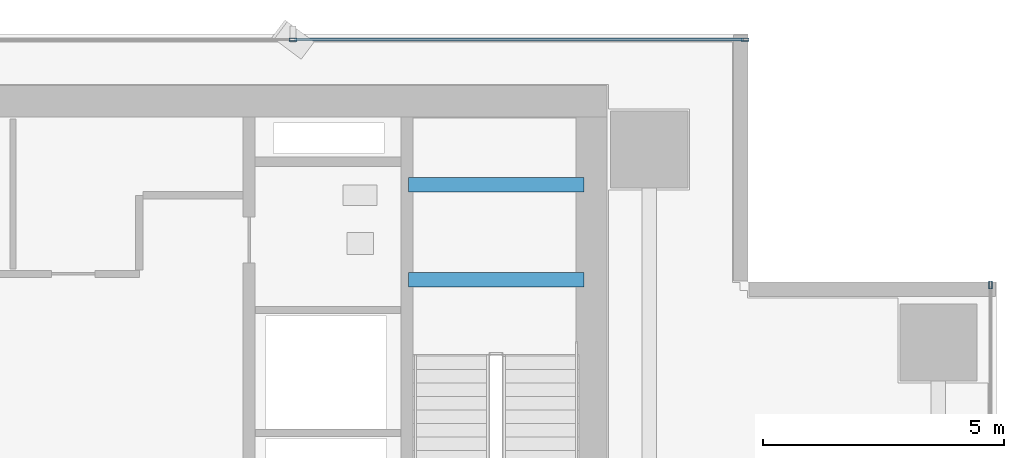
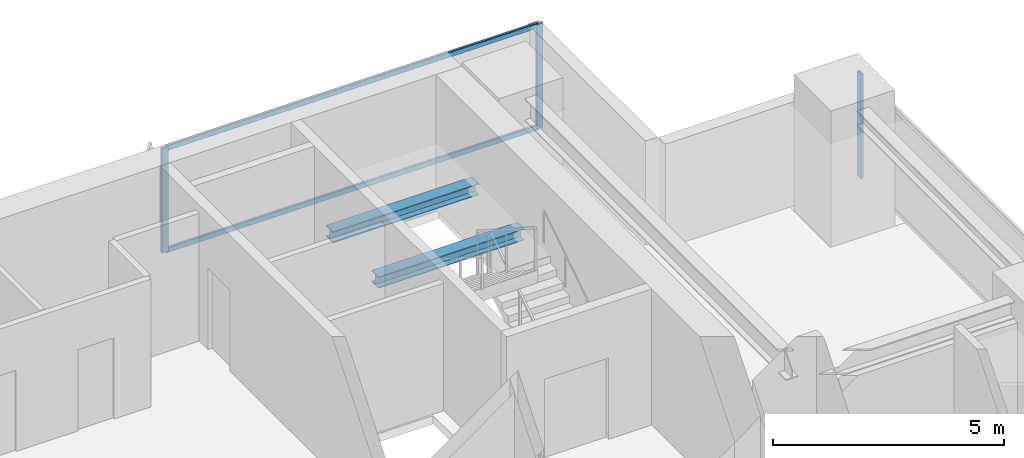
# One storey, part 19 of 28: 5 members, 2 beams, 2 elements without a shape of their own.
"""IFC4 building model written with IfcOpenShell, lengths in metres."""

from ifc_helpers import new_model, si_unit, direction, frame, origin, origin_2d, place, context, subcontext, project, spatial, hollow_rectangle, i_section, extrude, source, transform, mapped, material, layer, layer_set, material_profile, profile_set, type_object, element, aggregate, save


model = new_model("IFC4")

# Units and contexts
model_context = context("Model", 3, precision=1e-05, world=origin(), true_north=direction((0.0, 1.0)))
body_context = subcontext(model_context, "Body", "Model", "MODEL_VIEW")
ifc_project = project(units=[si_unit("LENGTHUNIT", "METRE"), si_unit("AREAUNIT", "SQUARE_METRE"), si_unit("VOLUMEUNIT", "CUBIC_METRE"), si_unit("PLANEANGLEUNIT", "RADIAN"), si_unit("MASSUNIT", "GRAM", prefix="KILO")], contexts=[model_context])

# Site, building, storey
site_placement = place(None, origin())
site = spatial("IfcSite", under=ifc_project, at=site_placement, CompositionType="ELEMENT")
building_placement = place(site_placement, origin())
building = spatial("IfcBuilding", under=site, at=building_placement, Name="Sumidabori Civic Tower", CompositionType="ELEMENT")
storey_placement = place(building_placement, frame((0.0, 0.0, 174.800048828125)))
storey = spatial("IfcBuildingStorey", under=building, at=storey_placement, Name="L45", CompositionType="ELEMENT", Elevation=174.800048828125)

# Beams
ifc_material_1 = material(Name="Steel SN490", Category="steel")
ifc_material_profile_1 = material_profile(ifc_material_1, i_section(OverallWidth=0.300048828125, OverallDepth=0.300048828125, WebThickness=0.010986328125, FlangeThickness=0.01904296875, at=origin_2d()), Name="HE 300 B")
ifc_profile_set_1 = profile_set([ifc_material_profile_1], Name="Steel SN490")
beam_type = type_object("IfcBeamType", Name="BM-LDG-300", PredefinedType="BEAM", material=ifc_profile_set_1)
shared_shape_1 = source(origin(), body_context, "Body", "SweptSolid", [
    extrude(i_section(OverallWidth=0.300048828125, OverallDepth=0.300048828125, WebThickness=0.010986328125, FlangeThickness=0.01904296875, at=origin_2d()), origin(), (0.0, 0.0, 1.0), 3.64990234375),
])
for number, where, z_axis, x_axis, name in (
    (1, (11.800048828125, 20.09765625, 1.449951171875), (1.0, 0.0, 0.0), (0.0, 1.0, 0.0), "Stair ST-2 Landing Support Beam L45-1A"),
    (2, (11.800048828125, 22.069580078125, 1.449951171875), (1.0, 0.0, 0.0), (0.0, 1.0, 0.0), "Stair ST-2 Landing Trimmer Beam L45-1B"),
):
    element("IfcBeam", number, at=place(storey_placement, frame(where, z_axis=z_axis, x_axis=x_axis)), inside=storey, type_object=beam_type, Name=name, PredefinedType="BEAM", context=body_context, shape_type="MappedRepresentation", body=[
        mapped(shared_shape_1, transform((0.0, 0.0, 0.0), x_axis=(1.0, 0.0, 0.0), y_axis=(0.0, 1.0, 0.0), z_axis=(0.0, 0.0, 1.0), scale=1.0)),
    ])

# Curtain wall, member
ifc_material_2 = material(Name="Anodised Bronze Aluminium AW-6063-T6", Category="aluminium")
ifc_layer = layer(ifc_material_2, 0.179931640625, Name="Anodised Bronze Aluminium AW-6063-T6")
ifc_layer_set = layer_set([ifc_layer], Name="Anodised Bronze Aluminium AW-6063-T6")
curtain_wall_type = type_object("IfcCurtainWallType", Name="CW-SYS-3", PredefinedType="NOTDEFINED", material=ifc_layer_set)
curtain_wall_1_placement = place(storey_placement, origin())
curtain_wall_1 = element("IfcCurtainWall", 3, at=curtain_wall_1_placement, inside=storey, type_object=curtain_wall_type, Name="Curtain Wall CW:L45:R04", PredefinedType="NOTDEFINED")
ifc_material_profile_2 = material_profile(ifc_material_2, hollow_rectangle(XDim=0.06494140625, YDim=0.159912109375, WallThickness=0.0048828125, at=origin_2d()), Name="ALU MULLION 160x65")
ifc_profile_set_2 = profile_set([ifc_material_profile_2], Name="Anodised Bronze Aluminium AW-6063-T6")
member_type_1 = type_object("IfcMemberType", Name="CW-MUL-160", PredefinedType="MULLION", material=ifc_profile_set_2)
shared_shape_2 = source(origin(), body_context, "Body", "SweptSolid", [
    extrude(hollow_rectangle(XDim=0.06494140625, YDim=0.159912109375, WallThickness=0.0048828125, at=origin_2d()), origin(), (0.0, 0.0, 1.0), 2.760009765625),
])
member_1_placement = place(storey_placement, frame((23.8798828125, 19.987548828125, 0.0), z_axis=(0.0, 0.0, 1.0), x_axis=(-1.0, 0.0, 0.0)))
member_1 = element("IfcMember", 4, at=member_1_placement, type_object=member_type_1, Name="CW-3 mullion 5", PredefinedType="MULLION", context=body_context, shape_type="MappedRepresentation", body=[
    mapped(shared_shape_2, transform((0.0, 0.0, 0.0), x_axis=(1.0, 0.0, 0.0), y_axis=(0.0, 1.0, 0.0), z_axis=(0.0, 0.0, 1.0), scale=1.0)),
])
aggregate(curtain_wall_1, [member_1])

# Curtain wall, members
curtain_wall_2_placement = place(storey_placement, origin())
curtain_wall_2 = element("IfcCurtainWall", 5, at=curtain_wall_2_placement, inside=storey, type_object=curtain_wall_type, Name="Curtain Wall CW:L45:R07", PredefinedType="NOTDEFINED")
member_2_placement = place(storey_placement, frame((18.78759765625, 25.080078125, 0.0), z_axis=(0.0, 0.0, 1.0), x_axis=(0.0, -1.0, 0.0)))
member_2 = element("IfcMember", 6, at=member_2_placement, type_object=member_type_1, Name="CW-3 mullion 1", PredefinedType="MULLION", context=body_context, shape_type="MappedRepresentation", body=[
    mapped(shared_shape_2, transform((0.0, 0.0, 0.0), x_axis=(1.0, 0.0, 0.0), y_axis=(0.0, 1.0, 0.0), z_axis=(0.0, 0.0, 1.0), scale=1.0)),
])
member_3_placement = place(storey_placement, frame((9.409912109375, 25.080078125, 0.0), z_axis=(0.0, 0.0, 1.0), x_axis=(0.0, -1.0, 0.0)))
member_3 = element("IfcMember", 7, at=member_3_placement, type_object=member_type_1, Name="CW-3 mullion 2", PredefinedType="MULLION", context=body_context, shape_type="MappedRepresentation", body=[
    mapped(shared_shape_2, transform((0.0, 0.0, 0.0), x_axis=(1.0, 0.0, 0.0), y_axis=(0.0, 1.0, 0.0), z_axis=(0.0, 0.0, 1.0), scale=1.0)),
])
ifc_material_profile_3 = material_profile(ifc_material_2, hollow_rectangle(XDim=0.06005859375, YDim=0.1298828125, WallThickness=0.0048828125, at=origin_2d()), Name="ALU TRANSOM 130x60")
ifc_profile_set_3 = profile_set([ifc_material_profile_3], Name="Anodised Bronze Aluminium AW-6063-T6")
member_type_2 = type_object("IfcMemberType", Name="CW-TRN-130", PredefinedType="USERDEFINED", material=ifc_profile_set_3)
shared_shape_3 = source(origin(), body_context, "Body", "SweptSolid", [
    extrude(hollow_rectangle(XDim=0.06005859375, YDim=0.1298828125, WallThickness=0.0048828125, at=origin_2d()), origin(), (0.0, 0.0, 1.0), 9.3125),
])
member_4_placement = place(storey_placement, frame((18.7548828125, 25.080078125, 0.030029296875), z_axis=(-1.0, 0.0, 0.0), x_axis=(0.0, -1.0, 0.0)))
member_4 = element("IfcMember", 8, at=member_4_placement, type_object=member_type_2, Name="CW-3 transom 1.1", ObjectType="TRANSOM", PredefinedType="USERDEFINED", context=body_context, shape_type="MappedRepresentation", body=[
    mapped(shared_shape_3, transform((0.0, 0.0, 0.0), x_axis=(1.0, 0.0, 0.0), y_axis=(0.0, 1.0, 0.0), z_axis=(0.0, 0.0, 1.0), scale=1.0)),
])
member_5_placement = place(storey_placement, frame((18.7548828125, 25.080078125, 2.72998046875), z_axis=(-1.0, 0.0, 0.0), x_axis=(0.0, -1.0, 0.0)))
member_5 = element("IfcMember", 9, at=member_5_placement, type_object=member_type_2, Name="CW-3 transom 1.2", ObjectType="TRANSOM", PredefinedType="USERDEFINED", context=body_context, shape_type="MappedRepresentation", body=[
    mapped(shared_shape_3, transform((0.0, 0.0, 0.0), x_axis=(1.0, 0.0, 0.0), y_axis=(0.0, 1.0, 0.0), z_axis=(0.0, 0.0, 1.0), scale=1.0)),
])
aggregate(curtain_wall_2, [member_2, member_3, member_4, member_5])

save(model, "model.ifc")
